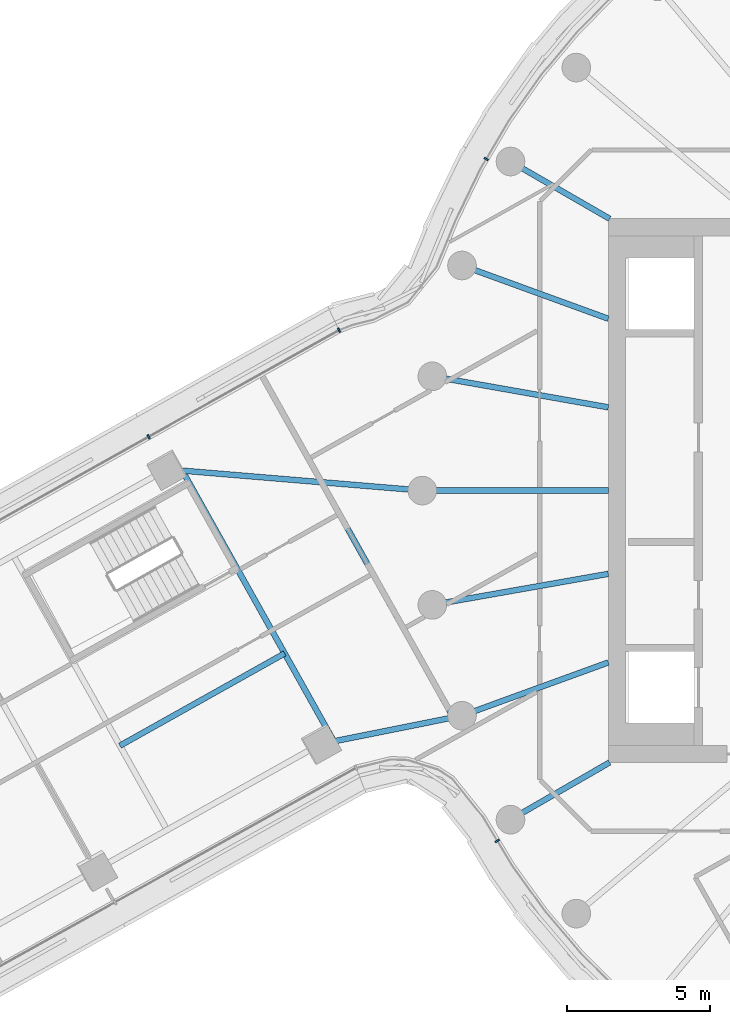
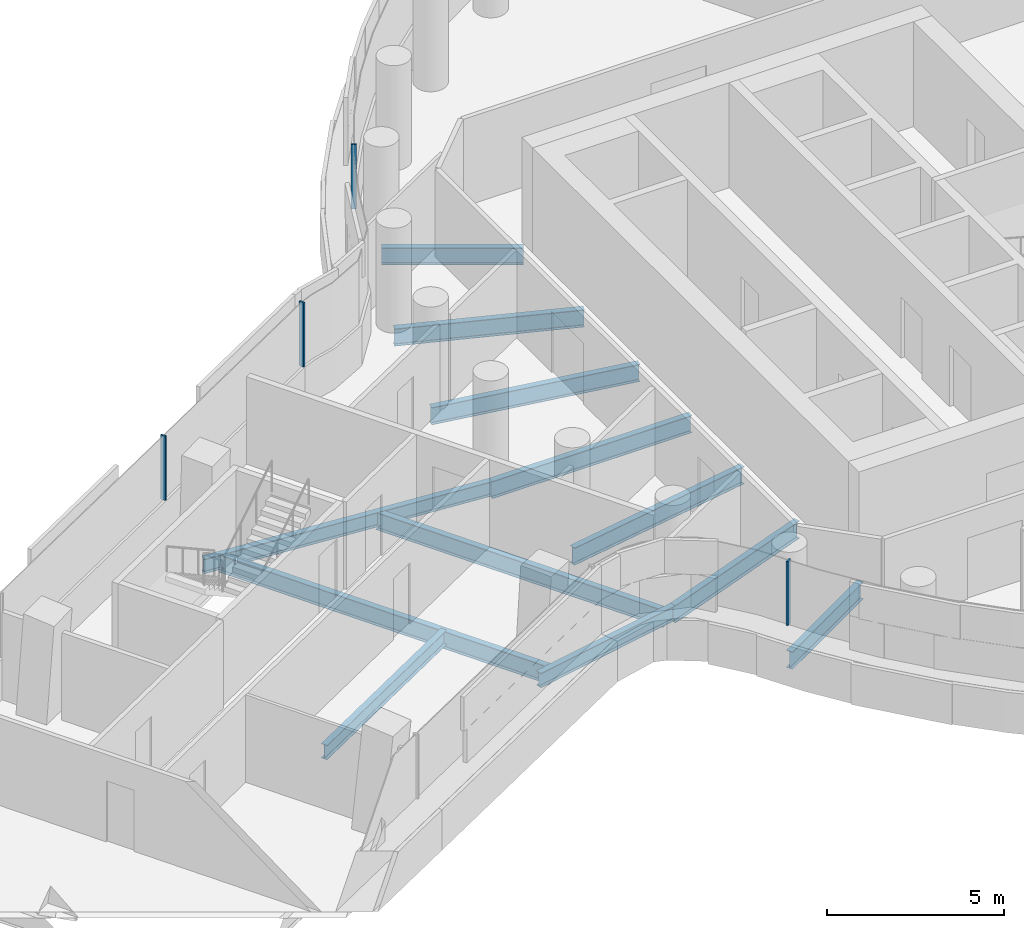
# One storey, part 8 of 34: 12 beams, 4 members, 3 elements without a shape of their own.
"""IFC4 building model written with IfcOpenShell, lengths in metres."""

from ifc_helpers import new_model, si_unit, direction, frame, origin, origin_2d, place, context, subcontext, project, spatial, rectangle, i_section, extrude, material, layer, layer_set, material_profile, profile_set, type_object, element, aggregate, save


model = new_model("IFC4")

# Units and contexts
model_context = context("Model", 3, precision=1e-05, world=origin(), true_north=direction((0.0, 1.0)))
body_context = subcontext(model_context, "Body", "Model", "MODEL_VIEW")
ifc_project = project(units=[si_unit("LENGTHUNIT", "METRE"), si_unit("AREAUNIT", "SQUARE_METRE"), si_unit("VOLUMEUNIT", "CUBIC_METRE"), si_unit("PLANEANGLEUNIT", "RADIAN"), si_unit("MASSUNIT", "GRAM", prefix="KILO")], contexts=[model_context])

# Site, building, storey
site_placement = place(None, origin())
site = spatial("IfcSite", under=ifc_project, at=site_placement, CompositionType="ELEMENT")
building_placement = place(site_placement, origin())
building = spatial("IfcBuilding", under=site, at=building_placement, Name="Tamarind Cross Interchange Tower", CompositionType="ELEMENT")
storey_placement = place(building_placement, frame((0.0, 0.0, 140.5)))
storey = spatial("IfcBuildingStorey", under=building, at=storey_placement, Name="L34", CompositionType="ELEMENT", Elevation=140.5)

# Beams
ifc_material_1 = material(Name="Steel Q355B", Category="steel")
ifc_material_profile_1 = material_profile(ifc_material_1, i_section(OverallWidth=0.198974609375, OverallDepth=0.49609375, WebThickness=0.009033203125, FlangeThickness=0.013916015625, FilletRadius=0.012939453125, at=origin_2d()), Name="HN 496x199x9x14")
ifc_profile_set_1 = profile_set([ifc_material_profile_1], Name="Steel Q355B")
beam_type_1 = type_object("IfcBeamType", Name="Composite beam HN 496x199x9x14 Q355B", PredefinedType="BEAM", material=ifc_profile_set_1)
beam_1_placement = place(storey_placement, frame((-31.92919921875, 0.742431640625, -0.387939453125), z_axis=(0.996561150192, -0.082860569195, 0.0), x_axis=(0.082860569195, 0.996561150192, 0.0)))
element("IfcBeam", 1, at=beam_1_placement, inside=storey, type_object=beam_type_1, Name="Beam W-linkem", PredefinedType="BEAM", context=body_context, shape_type="SweptSolid", body=[
    extrude(i_section(OverallWidth=0.198974609375, OverallDepth=0.49609375, WebThickness=0.009033203125, FlangeThickness=0.013916015625, FilletRadius=0.012939453125, at=origin_2d()), origin(), (0.0, 0.0, 1.0), 8.9599609375),
])
beam_2_placement = place(storey_placement, frame((-26.5537109375, -8.854736328125, -0.387939453125), z_axis=(0.980575084381, 0.196144089617, 0.0), x_axis=(-0.196144089617, 0.980575084381, 0.0)))
element("IfcBeam", 2, at=beam_2_placement, inside=storey, type_object=beam_type_1, Name="Beam W-linkep", PredefinedType="BEAM", context=body_context, shape_type="SweptSolid", body=[
    extrude(i_section(OverallWidth=0.198974609375, OverallDepth=0.49609375, WebThickness=0.009033203125, FlangeThickness=0.013916015625, FilletRadius=0.012939453125, at=origin_2d()), origin(), (0.0, 0.0, 1.0), 5.03857421875),
])
beam_3_placement = place(storey_placement, frame((-27.810302734375, -5.690185546875, -0.387939453125), z_axis=(-0.872461227028, -0.488683340552, 0.0), x_axis=(0.488683340552, -0.872461227028, 0.0)))
element("IfcBeam", 3, at=beam_3_placement, inside=storey, type_object=beam_type_1, Name="Beam W-stripp", PredefinedType="BEAM", context=body_context, shape_type="SweptSolid", body=[
    extrude(i_section(OverallWidth=0.198974609375, OverallDepth=0.49609375, WebThickness=0.009033203125, FlangeThickness=0.013916015625, FilletRadius=0.012939453125, at=origin_2d()), origin(), (0.0, 0.0, 1.0), 6.60009765625),
])
ifc_material_profile_2 = material_profile(ifc_material_1, i_section(OverallWidth=0.198974609375, OverallDepth=0.595947265625, WebThickness=0.010009765625, FlangeThickness=0.014892578125, FilletRadius=0.012939453125, at=origin_2d()), Name="HN 596x199x10x15")
ifc_profile_set_2 = profile_set([ifc_material_profile_2], Name="Steel Q355B")
beam_type_2 = type_object("IfcBeamType", Name="Composite beam HN 596x199x10x15 Q355B", PredefinedType="BEAM", material=ifc_profile_set_2)
beam_4_placement = place(storey_placement, frame((-19.918701171875, 11.5, -0.43798828125), z_axis=(0.866026010844, -0.49999894854, 0.0), x_axis=(0.49999894854, 0.866026010844, 0.0)))
element("IfcBeam", 4, at=beam_4_placement, inside=storey, type_object=beam_type_2, Name="Beam HH15", PredefinedType="BEAM", context=body_context, shape_type="SweptSolid", body=[
    extrude(i_section(OverallWidth=0.198974609375, OverallDepth=0.595947265625, WebThickness=0.010009765625, FlangeThickness=0.014892578125, FilletRadius=0.012939453125, at=origin_2d()), origin(), (0.0, 0.0, 1.0), 4.0),
])
beam_5_placement = place(storey_placement, frame((-21.613037109375, 7.866455078125, -0.43798828125), z_axis=(0.939701685589, -0.341995236956, 0.0), x_axis=(0.341995236956, 0.939701685589, 0.0)))
element("IfcBeam", 5, at=beam_5_placement, inside=storey, type_object=beam_type_2, Name="Beam HH16", PredefinedType="BEAM", context=body_context, shape_type="SweptSolid", body=[
    extrude(i_section(OverallWidth=0.198974609375, OverallDepth=0.595947265625, WebThickness=0.010009765625, FlangeThickness=0.014892578125, FilletRadius=0.012939453125, at=origin_2d()), origin(), (0.0, 0.0, 1.0), 5.441162109375),
])
beam_6_placement = place(storey_placement, frame((-22.650634765625, 3.993896484375, -0.43798828125), z_axis=(0.984809127561, -0.173640382036, 0.0), x_axis=(0.173640382036, 0.984809127561, 0.0)))
element("IfcBeam", 6, at=beam_6_placement, inside=storey, type_object=beam_type_2, Name="Beam HH17", PredefinedType="BEAM", context=body_context, shape_type="SweptSolid", body=[
    extrude(i_section(OverallWidth=0.198974609375, OverallDepth=0.595947265625, WebThickness=0.010009765625, FlangeThickness=0.014892578125, FilletRadius=0.012939453125, at=origin_2d()), origin(), (0.0, 0.0, 1.0), 6.24560546875),
])
beam_7_placement = place(storey_placement, frame((-23.0, 0.0, -0.43798828125), z_axis=(1.0, 0.0, 0.0), x_axis=(0.0, 1.0, 0.0)))
element("IfcBeam", 7, at=beam_7_placement, inside=storey, type_object=beam_type_2, Name="Beam HH18", PredefinedType="BEAM", context=body_context, shape_type="SweptSolid", body=[
    extrude(i_section(OverallWidth=0.198974609375, OverallDepth=0.595947265625, WebThickness=0.010009765625, FlangeThickness=0.014892578125, FilletRadius=0.012939453125, at=origin_2d()), origin(), (0.0, 0.0, 1.0), 6.5),
])
beam_8_placement = place(storey_placement, frame((-22.650634765625, -3.993896484375, -0.43798828125), z_axis=(0.984809127561, 0.173640382036, 0.0), x_axis=(-0.173640382036, 0.984809127561, 0.0)))
element("IfcBeam", 8, at=beam_8_placement, inside=storey, type_object=beam_type_2, Name="Beam HH19", PredefinedType="BEAM", context=body_context, shape_type="SweptSolid", body=[
    extrude(i_section(OverallWidth=0.198974609375, OverallDepth=0.595947265625, WebThickness=0.010009765625, FlangeThickness=0.014892578125, FilletRadius=0.012939453125, at=origin_2d()), origin(), (0.0, 0.0, 1.0), 6.24560546875),
])
beam_9_placement = place(storey_placement, frame((-21.613037109375, -7.866455078125, -0.43798828125), z_axis=(0.939701685589, 0.341995236956, 0.0), x_axis=(-0.341995236956, 0.939701685589, 0.0)))
element("IfcBeam", 9, at=beam_9_placement, inside=storey, type_object=beam_type_2, Name="Beam HH20", PredefinedType="BEAM", context=body_context, shape_type="SweptSolid", body=[
    extrude(i_section(OverallWidth=0.198974609375, OverallDepth=0.595947265625, WebThickness=0.010009765625, FlangeThickness=0.014892578125, FilletRadius=0.012939453125, at=origin_2d()), origin(), (0.0, 0.0, 1.0), 5.441162109375),
])
beam_10_placement = place(storey_placement, frame((-19.918701171875, -11.5, -0.43798828125), z_axis=(0.866026010844, 0.49999894854, 0.0), x_axis=(-0.49999894854, 0.866026010844, 0.0)))
element("IfcBeam", 10, at=beam_10_placement, inside=storey, type_object=beam_type_2, Name="Beam HH21", PredefinedType="BEAM", context=body_context, shape_type="SweptSolid", body=[
    extrude(i_section(OverallWidth=0.198974609375, OverallDepth=0.595947265625, WebThickness=0.010009765625, FlangeThickness=0.014892578125, FilletRadius=0.012939453125, at=origin_2d()), origin(), (0.0, 0.0, 1.0), 4.0),
])
ifc_material_profile_3 = material_profile(ifc_material_1, i_section(OverallWidth=0.199951171875, OverallDepth=0.60009765625, WebThickness=0.010986328125, FlangeThickness=0.01708984375, FilletRadius=0.012939453125, at=origin_2d()), Name="HN 600x200x11x17")
ifc_profile_set_3 = profile_set([ifc_material_profile_3], Name="Steel Q355B")
beam_type_3 = type_object("IfcBeamType", Name="Composite beam HN 600x200x11x17 Q355B", PredefinedType="BEAM", material=ifc_profile_set_3)
beam_11_placement = place(storey_placement, frame((-31.38818359375, 0.697509765625, -0.43994140625), z_axis=(0.488676048758, -0.87246531127, 0.0), x_axis=(0.87246531127, 0.488676048758, 0.0)))
element("IfcBeam", 11, at=beam_11_placement, inside=storey, type_object=beam_type_3, Name="Beam W-x298", PredefinedType="BEAM", context=body_context, shape_type="SweptSolid", body=[
    extrude(i_section(OverallWidth=0.199951171875, OverallDepth=0.60009765625, WebThickness=0.010986328125, FlangeThickness=0.01708984375, FilletRadius=0.012939453125, at=origin_2d()), origin(), (0.0, 0.0, 1.0), 10.84228515625),
])
beam_12_placement = place(storey_placement, frame((-26.51953125, 0.292724609375, -0.43994140625), z_axis=(0.48870042272, -0.872451658737, 0.0), x_axis=(0.872451658737, 0.48870042272, 0.0)))
element("IfcBeam", 12, at=beam_12_placement, inside=storey, type_object=beam_type_3, Name="Beam W-x258", PredefinedType="BEAM", context=body_context, shape_type="SweptSolid", body=[
    extrude(i_section(OverallWidth=0.199951171875, OverallDepth=0.60009765625, WebThickness=0.010986328125, FlangeThickness=0.01708984375, FilletRadius=0.012939453125, at=origin_2d()), origin(), (0.0, 0.0, 1.0), 9.42138671875),
])

# Curtain wall, member
ifc_material_2 = material(Name="Aluminium 6063-T6", Category="aluminium")
ifc_layer = layer(ifc_material_2, 0.159912109375)
ifc_layer_set = layer_set([ifc_layer], Name="Aluminium 6063-T6")
curtain_wall_type = type_object("IfcCurtainWallType", Name="Office curtain wall, 9.0 m bays", PredefinedType="NOTDEFINED", material=ifc_layer_set)
curtain_wall_1_placement = place(storey_placement, origin())
curtain_wall_1 = element("IfcCurtainWall", 13, at=curtain_wall_1_placement, inside=storey, type_object=curtain_wall_type, Name="CWS-L34-02", PredefinedType="NOTDEFINED")
ifc_material_profile_4 = material_profile(ifc_material_2, rectangle(XDim=0.06005859375, YDim=0.159912109375, at=origin_2d()), Name="Mullion CW1")
ifc_profile_set_4 = profile_set([ifc_material_profile_4], Name="Aluminium 6063-T6")
member_type = type_object("IfcMemberType", Name="Mullion CW1", PredefinedType="MULLION", material=ifc_profile_set_4)
member_1_placement = place(storey_placement, frame((-20.380615234375, -12.243408203125, 1.39990234375), z_axis=(0.0, 0.0, 1.0), x_axis=(0.515577308909, -0.856843065292, 0.0)))
member_1 = element("IfcMember", 14, at=member_1_placement, type_object=member_type, Name="CWM-L34-02-01", PredefinedType="MULLION", context=body_context, shape_type="SweptSolid", body=[
    extrude(rectangle(XDim=0.06005859375, YDim=0.159912109375, at=origin_2d()), origin(), (0.0, 0.0, 1.0), 2.210205078125),
])
aggregate(curtain_wall_1, [member_1])

curtain_wall_2_placement = place(storey_placement, origin())
curtain_wall_2 = element("IfcCurtainWall", 15, at=curtain_wall_2_placement, inside=storey, type_object=curtain_wall_type, Name="CWS-L34-14", PredefinedType="NOTDEFINED")
member_2_placement = place(storey_placement, frame((-20.769287109375, 11.58642578125, 1.39990234375), z_axis=(0.0, 0.0, 1.0), x_axis=(-0.508183308752, -0.861248933065, 0.0)))
member_2 = element("IfcMember", 16, at=member_2_placement, type_object=member_type, Name="CWM-L34-14-02", PredefinedType="MULLION", context=body_context, shape_type="SweptSolid", body=[
    extrude(rectangle(XDim=0.06005859375, YDim=0.159912109375, at=origin_2d()), origin(), (0.0, 0.0, 1.0), 2.210205078125),
])
aggregate(curtain_wall_2, [member_2])

# Curtain wall, members
curtain_wall_3_placement = place(storey_placement, origin())
curtain_wall_3 = element("IfcCurtainWall", 17, at=curtain_wall_3_placement, inside=storey, type_object=curtain_wall_type, Name="CWS-L34-15", PredefinedType="NOTDEFINED")
member_3_placement = place(storey_placement, frame((-25.908935546875, 5.604736328125, 1.39990234375), z_axis=(0.0, 0.0, 1.0), x_axis=(-0.90255222081, -0.430580409113, 0.0)))
member_3 = element("IfcMember", 18, at=member_3_placement, type_object=member_type, Name="CWM-L34-15-00", PredefinedType="MULLION", context=body_context, shape_type="SweptSolid", body=[
    extrude(rectangle(XDim=0.06005859375, YDim=0.159912109375, at=origin_2d()), origin(), (0.0, 0.0, 1.0), 2.210205078125),
])
member_4_placement = place(storey_placement, frame((-32.5654296875, 1.876220703125, 1.39990234375), z_axis=(0.0, 0.0, 1.0), x_axis=(-0.872458481082, -0.488688242939, 0.0)))
member_4 = element("IfcMember", 19, at=member_4_placement, type_object=member_type, Name="CWM-L34-15-01", PredefinedType="MULLION", context=body_context, shape_type="SweptSolid", body=[
    extrude(rectangle(XDim=0.06005859375, YDim=0.159912109375, at=origin_2d()), origin(), (0.0, 0.0, 1.0), 2.210205078125),
])
aggregate(curtain_wall_3, [member_3, member_4])

save(model, "model.ifc")
